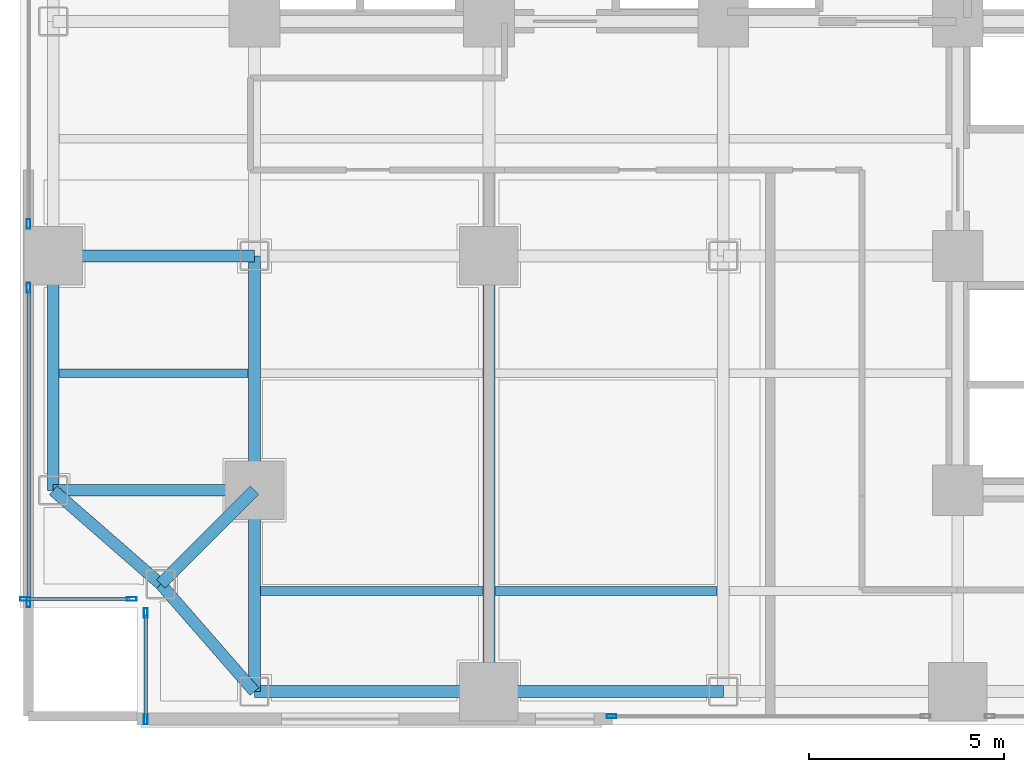
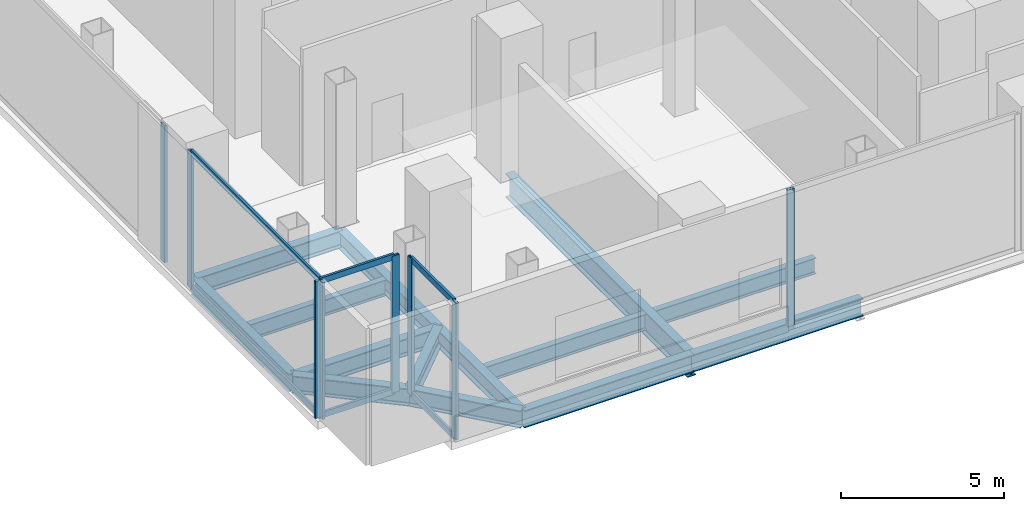
# One storey, part 3 of 27: 14 beams, 14 members, 5 elements without a shape of their own.
"""IFC4 building model written with IfcOpenShell, lengths in metres."""

import ifcopenshell
import ifcopenshell.guid

model = None  # the IFC model being written
_history = None  # IfcOwnerHistory: only IFC2X3 demands one
_inside = {}  # id of a spatial element -> (the spatial element, [elements in it])
_under = {}  # id of a project, library or spatial element -> (it, [spatial elements below it])
_declared = {}  # id of a project -> (the project, [libraries it declares])
_typed = {}  # id of a type object -> (the type object, [elements of that type])
_made_of = {}  # id of a material, layer set ... -> (it, [elements and type objects made of it])


def new_model(schema):
    """Start an empty IFC model of exactly this schema.

    Asked for "IFC4X3", IfcOpenShell would pick the latest addendum, in which some entities
    have other attributes; the version numbers below select the first issue.
    IFC2X3 requires an IfcOwnerHistory on every rooted entity: one is made here for all.
    """
    global model, _history
    if schema == "IFC4X3":
        model = ifcopenshell.file(schema_version=(4, 3, 0, 0))
    else:
        model = ifcopenshell.file(schema=schema)
    _inside.clear()
    _under.clear()
    _declared.clear()
    _typed.clear()
    _made_of.clear()
    _history = None
    if model.schema == "IFC2X3":
        org = make("IfcOrganization", Name="unknown")
        user = make(
            "IfcPersonAndOrganization",
            ThePerson=make("IfcPerson", FamilyName="unknown"),
            TheOrganization=org,
        )
        app = make(
            "IfcApplication",
            ApplicationDeveloper=org,
            Version="unknown",
            ApplicationFullName="unknown",
            ApplicationIdentifier="unknown",
        )
        _history = make(
            "IfcOwnerHistory",
            OwningUser=user,
            OwningApplication=app,
            ChangeAction="ADDED",
            CreationDate=0,
        )
    return model


def make(cls, **values):
    """One entity of the class cls with the attributes given. An attribute that is None is left unset."""
    return model.create_entity(
        cls, **{name: value for name, value in values.items() if value is not None}
    )


def rooted(cls, **values):
    """An entity with a GlobalId (a new one), such as an element, a storey or a relation."""
    return make(cls, GlobalId=ifcopenshell.guid.new(), OwnerHistory=_history, **values)


def si_unit(unit_type, name, prefix=None):
    """IfcSIUnit, for example si_unit("LENGTHUNIT", "METRE", prefix="MILLI")."""
    return make("IfcSIUnit", UnitType=unit_type, Prefix=prefix, Name=name)


def assignment(units):
    """IfcUnitAssignment: the units of a project."""
    return None if units is None else make("IfcUnitAssignment", Units=units)


def point(xyz):
    """IfcCartesianPoint."""
    return None if xyz is None else make("IfcCartesianPoint", Coordinates=xyz)


def direction(xyz):
    """IfcDirection."""
    return None if xyz is None else make("IfcDirection", DirectionRatios=xyz)


def frame(location, z_axis=None, x_axis=None):
    """IfcAxis2Placement3D, a coordinate frame: its origin and axes. An axis left out is left unset."""
    return make(
        "IfcAxis2Placement3D",
        Location=point(location),
        Axis=direction(z_axis),
        RefDirection=direction(x_axis),
    )


def frame_2d(location, x_axis=None):
    """IfcAxis2Placement2D, a coordinate frame in the plane: its origin and x axis."""
    return make(
        "IfcAxis2Placement2D", Location=point(location), RefDirection=direction(x_axis)
    )


def origin():
    """The frame at (0, 0, 0) with its axes left unset."""
    return frame((0.0, 0.0, 0.0))


def origin_2d():
    """The frame at (0, 0) in the plane with its x axis left unset."""
    return frame_2d((0.0, 0.0))


def place(relative_to, where):
    """IfcLocalPlacement: puts the frame where relative to a parent placement (None: the world)."""
    return make(
        "IfcLocalPlacement", PlacementRelTo=relative_to, RelativePlacement=where
    )


def context(
    kind, dimensions, precision=None, world=None, true_north=None, identifier=None
):
    """IfcGeometricRepresentationContext, for example the 3D "Model" context."""
    return make(
        "IfcGeometricRepresentationContext",
        ContextIdentifier=identifier,
        ContextType=kind,
        CoordinateSpaceDimension=dimensions,
        Precision=precision,
        WorldCoordinateSystem=world,
        TrueNorth=true_north,
    )


def subcontext(parent, identifier, kind, view, scale=None):
    """IfcGeometricRepresentationSubContext, for example "Body" below "Model"."""
    return make(
        "IfcGeometricRepresentationSubContext",
        ContextIdentifier=identifier,
        ContextType=kind,
        ParentContext=parent,
        TargetScale=scale,
        TargetView=view,
    )


def project(units=None, contexts=None):
    """IfcProject with its units and contexts."""
    return rooted(
        "IfcProject",
        Name="project",
        RepresentationContexts=contexts,
        UnitsInContext=assignment(units),
    )


def spatial(cls, under=None, at=None, **own):
    """A site, building, storey or space (cls), placed at a placement, below another one or the project."""
    s = rooted(cls, ObjectPlacement=at, **own)
    if under is not None:
        _under.setdefault(under.id(), (under, []))[1].append(s)
    return s


def profile(cls, at=None, kind="AREA", **sizes):
    """A parametric profile (cls). Its sizes go by their IFC names, for example OverallWidth=200.0."""
    return make(cls, ProfileType=kind, Position=at, **sizes)


def hollow_rectangle(**sizes):
    """IfcRectangleHollowProfileDef."""
    return profile("IfcRectangleHollowProfileDef", **sizes)


def i_section(**sizes):
    """IfcIShapeProfileDef."""
    return profile("IfcIShapeProfileDef", **sizes)


def extrude(swept, where, along, depth):
    """IfcExtrudedAreaSolid: the profile swept, set in the frame where, extruded along a direction by depth."""
    return make(
        "IfcExtrudedAreaSolid",
        SweptArea=swept,
        Position=where,
        ExtrudedDirection=direction(along),
        Depth=depth,
    )


def shape(context_of_items, identifier, shape_type, items):
    """IfcShapeRepresentation: the items that make up one representation, for example the "Body"."""
    return make(
        "IfcShapeRepresentation",
        ContextOfItems=context_of_items,
        RepresentationIdentifier=identifier,
        RepresentationType=shape_type,
        Items=items,
    )


def material(Name=None, Category=None):
    """IfcMaterial."""
    return make("IfcMaterial", Name=Name, Category=Category)


def layer(
    of_material, thickness, ventilated=None, Name=None, Category=None, Priority=None
):
    """IfcMaterialLayer: one layer of a wall or slab, of a material (None: an air gap)."""
    return make(
        "IfcMaterialLayer",
        Material=of_material,
        LayerThickness=thickness,
        IsVentilated=ventilated,
        Name=Name,
        Category=Category,
        Priority=Priority,
    )


def layer_set(layers, Name=None):
    """IfcMaterialLayerSet."""
    return make("IfcMaterialLayerSet", MaterialLayers=layers, LayerSetName=Name)


def material_profile(
    of_material, cross_section, Name=None, Category=None, Priority=None
):
    """IfcMaterialProfile: a cross section and its material."""
    return make(
        "IfcMaterialProfile",
        Name=Name,
        Material=of_material,
        Profile=cross_section,
        Priority=Priority,
        Category=Category,
    )


def profile_set(profiles, Name=None, composite=None):
    """IfcMaterialProfileSet."""
    return make(
        "IfcMaterialProfileSet",
        Name=Name,
        MaterialProfiles=profiles,
        CompositeProfile=composite,
    )


def made_of(thing, what):
    """Note that an element or type object is made of a material, layer set ...; save() writes the relation."""
    if what is not None:
        _made_of.setdefault(what.id(), (what, []))[1].append(thing)
    return thing


def type_object(cls, material=None, **own):
    """A type object (cls), such as IfcWallType, which elements share."""
    return made_of(rooted(cls, **own), material)


def element(
    cls,
    number,
    at=None,
    inside=None,
    cuts=None,
    type_object=None,
    material=None,
    context=None,
    identifier="Body",
    shape_type=None,
    held_by="IfcProductDefinitionShape",
    body=None,
    shapes=None,
    **own,
):
    """One element of the class cls, such as IfcWall. Its Tag is "e" and its number.

    at: its placement. inside: the storey or other place that contains it. cuts: it is an
    opening in that element (IfcRelVoidsElement). A single representation is given by context,
    identifier, shape_type and body (its items); several are given by shapes. held_by: the class
    of the entity that holds the representations. save() writes the other relations.
    """
    e = rooted(cls, Tag="e%d" % number, ObjectPlacement=at, **own)
    if body is not None:
        shapes = [shape(context, identifier, shape_type, body)]
    if shapes is not None:
        e.Representation = make(held_by, Representations=shapes)
    if inside is not None:
        _inside.setdefault(inside.id(), (inside, []))[1].append(e)
    if cuts is not None:
        rooted(
            "IfcRelVoidsElement", RelatingBuildingElement=cuts, RelatedOpeningElement=e
        )
    if type_object is not None:
        _typed.setdefault(type_object.id(), (type_object, []))[1].append(e)
    return made_of(e, material)


def aggregate(whole, parts):
    """IfcRelAggregates: a whole, such as a stair, and the parts it consists of."""
    return rooted("IfcRelAggregates", RelatingObject=whole, RelatedObjects=parts)


def save(model, path):
    """Write the relations noted so far, then the file.

    IfcRelAggregates (storeys below a building ...), IfcRelContainedInSpatialStructure (elements
    in a storey), IfcRelDefinesByType, IfcRelAssociatesMaterial and IfcRelDeclares: one each for
    every whole, place, type object, material and project.
    """
    for whole, parts in _under.values():
        aggregate(whole, parts)
    for where, things in _inside.values():
        rooted(
            "IfcRelContainedInSpatialStructure",
            RelatedElements=things,
            RelatingStructure=where,
        )
    for kind, things in _typed.values():
        rooted("IfcRelDefinesByType", RelatedObjects=things, RelatingType=kind)
    for what, things in _made_of.values():
        rooted("IfcRelAssociatesMaterial", RelatedObjects=things, RelatingMaterial=what)
    for by, libraries in _declared.values():
        rooted("IfcRelDeclares", RelatingContext=by, RelatedDefinitions=libraries)
    model.write(path)


model = new_model("IFC4")

# Units and contexts
model_context = context("Model", 3, precision=1e-05, world=origin(), true_north=direction((0.0, 1.0)))
body_context = subcontext(model_context, "Body", "Model", "MODEL_VIEW")
ifc_project = project(units=[si_unit("LENGTHUNIT", "METRE"), si_unit("AREAUNIT", "SQUARE_METRE"), si_unit("VOLUMEUNIT", "CUBIC_METRE"), si_unit("PLANEANGLEUNIT", "RADIAN"), si_unit("MASSUNIT", "GRAM", prefix="KILO"), si_unit("THERMODYNAMICTEMPERATUREUNIT", "KELVIN"), si_unit("POWERUNIT", "WATT")], contexts=[model_context])

# Site, building, storey
site_placement = place(None, origin())
site = spatial("IfcSite", under=ifc_project, at=site_placement, CompositionType="ELEMENT")
building_placement = place(site_placement, origin())
building = spatial("IfcBuilding", under=site, at=building_placement, Name="Svarakhadi Broadcast Tower", CompositionType="ELEMENT")
storey_placement = place(building_placement, frame((0.0, 0.0, 5.699951171875)))
storey = spatial("IfcBuildingStorey", under=building, at=storey_placement, Name="L01", CompositionType="ELEMENT", Elevation=5.699951171875)

# Beams
ifc_material_1 = material(Name="Steel S355J2 (IS 2062 E350C)", Category="steel")
ifc_material_profile_1 = material_profile(ifc_material_1, i_section(OverallWidth=0.219970703125, OverallDepth=0.60009765625, WebThickness=0.011962890625, FlangeThickness=0.01904296875, FilletRadius=0.02392578125, at=origin_2d()), Name="NPB 600x220x122")
ifc_profile_set_1 = profile_set([ifc_material_profile_1], Name="Steel S355J2 (IS 2062 E350C)")
beam_type_1 = type_object("IfcBeamType", Name="Beam_NPB600", PredefinedType="BEAM", material=ifc_profile_set_1)
beam_1_placement = place(storey_placement, frame((1.010009765625, 9.0, -0.599853515625), z_axis=(1.0, 0.0, 0.0), x_axis=(0.0, 1.0, 0.0)))
element("IfcBeam", 1, at=beam_1_placement, inside=storey, type_object=beam_type_1, Name="L01 Secondary Composite Beam SB001", PredefinedType="BEAM", context=body_context, shape_type="SweptSolid", body=[
    extrude(i_section(OverallWidth=0.219970703125, OverallDepth=0.60009765625, WebThickness=0.011962890625, FlangeThickness=0.01904296875, FilletRadius=0.02392578125, at=origin_2d()), origin(), (0.0, 0.0, 1.0), 4.830078125),
])
for number, where, z_axis, x_axis, name in (
    (2, (6.159912109375, 3.425048828125, -0.599853515625), (1.0, 0.0, 0.0), (0.0, 1.0, 0.0), "L01 Secondary Composite Beam SB007"),
    (3, (12.159912109375, 3.425048828125, -0.599853515625), (1.0, 0.0, 0.0), (0.0, 1.0, 0.0), "L01 Secondary Composite Beam SB010"),
):
    element("IfcBeam", number, at=place(storey_placement, frame(where, z_axis=z_axis, x_axis=x_axis)), inside=storey, type_object=beam_type_1, Name=name, PredefinedType="BEAM", context=body_context, shape_type="SweptSolid", body=[
        extrude(i_section(OverallWidth=0.219970703125, OverallDepth=0.60009765625, WebThickness=0.011962890625, FlangeThickness=0.01904296875, FilletRadius=0.02392578125, at=origin_2d()), origin(), (0.0, 0.0, 1.0), 5.68017578125),
    ])

# Curtain wall, members
ifc_material_2 = material(Name="Anodised Bronze Aluminium AA 6063-T6", Category="aluminium")
ifc_layer = layer(ifc_material_2, 0.25)
ifc_layer_set = layer_set([ifc_layer], Name="Anodised Bronze Aluminium AA 6063-T6")
curtain_wall_type = type_object("IfcCurtainWallType", Name="CW_Sys_01", PredefinedType="NOTDEFINED", material=ifc_layer_set)
curtain_wall_1_placement = place(storey_placement, origin())
curtain_wall_1 = element("IfcCurtainWall", 4, at=curtain_wall_1_placement, inside=storey, type_object=curtain_wall_type, Name="L01 Unitised Facade Curtain Wall 01", PredefinedType="NOTDEFINED")
ifc_material_profile_2 = material_profile(ifc_material_2, hollow_rectangle(XDim=0.094970703125, YDim=0.25, WallThickness=0.006103515625, at=origin_2d()), Name="ALU MULLION 250x95x6")
ifc_profile_set_2 = profile_set([ifc_material_profile_2], Name="Anodised Bronze Aluminium AA 6063-T6")
member_type_1 = type_object("IfcMemberType", Name="CW_Sys_01_Mul", PredefinedType="MULLION", material=ifc_profile_set_2)
member_1_placement = place(storey_placement, frame((2.862548828125, 3.219970703125, 0.0), z_axis=(0.0, 0.0, 1.0), x_axis=(0.0, -1.0, 0.0)))
member_1 = element("IfcMember", 5, at=member_1_placement, type_object=member_type_1, Name="CW-01 mullion 1", PredefinedType="MULLION", context=body_context, shape_type="SweptSolid", body=[
    extrude(hollow_rectangle(XDim=0.094970703125, YDim=0.25, WallThickness=0.006103515625, at=origin_2d()), origin(), (0.0, 0.0, 1.0), 5.125),
])
member_2_placement = place(storey_placement, frame((0.137451171875, 3.219970703125, 0.0), z_axis=(0.0, 0.0, 1.0), x_axis=(0.0, -1.0, 0.0)))
member_2 = element("IfcMember", 6, at=member_2_placement, type_object=member_type_1, Name="CW-01 mullion 2", PredefinedType="MULLION", context=body_context, shape_type="SweptSolid", body=[
    extrude(hollow_rectangle(XDim=0.094970703125, YDim=0.25, WallThickness=0.006103515625, at=origin_2d()), origin(), (0.0, 0.0, 1.0), 5.125),
])

curtain_wall_2_placement = place(storey_placement, origin())
curtain_wall_2 = element("IfcCurtainWall", 7, at=curtain_wall_2_placement, inside=storey, type_object=curtain_wall_type, Name="L01 Unitised Facade Curtain Wall 02 Bay 1", PredefinedType="NOTDEFINED")
member_3_placement = place(storey_placement, frame((0.219970703125, 3.137451171875, 0.0), z_axis=(0.0, 0.0, 1.0), x_axis=(-1.0, 0.0, 0.0)))
member_3 = element("IfcMember", 8, at=member_3_placement, type_object=member_type_1, Name="CW-01 mullion 1", PredefinedType="MULLION", context=body_context, shape_type="SweptSolid", body=[
    extrude(hollow_rectangle(XDim=0.094970703125, YDim=0.25, WallThickness=0.006103515625, at=origin_2d()), origin(), (0.0, 0.0, 1.0), 5.125),
])
member_4_placement = place(storey_placement, frame((0.219970703125, 11.1826171875, 0.0), z_axis=(0.0, 0.0, 1.0), x_axis=(-1.0, 0.0, 0.0)))
member_4 = element("IfcMember", 9, at=member_4_placement, type_object=member_type_1, Name="CW-01 mullion 2", PredefinedType="MULLION", context=body_context, shape_type="SweptSolid", body=[
    extrude(hollow_rectangle(XDim=0.094970703125, YDim=0.25, WallThickness=0.006103515625, at=origin_2d()), origin(), (0.0, 0.0, 1.0), 5.125),
])

# Curtain wall, member
curtain_wall_3_placement = place(storey_placement, origin())
curtain_wall_3 = element("IfcCurtainWall", 10, at=curtain_wall_3_placement, inside=storey, type_object=curtain_wall_type, Name="L01 Unitised Facade Curtain Wall 02 Bay 2", PredefinedType="NOTDEFINED")
member_5_placement = place(storey_placement, frame((0.219970703125, 12.8173828125, 0.0), z_axis=(0.0, 0.0, 1.0), x_axis=(-1.0, 0.0, 0.0)))
member_5 = element("IfcMember", 11, at=member_5_placement, type_object=member_type_1, Name="CW-01 mullion 1", PredefinedType="MULLION", context=body_context, shape_type="SweptSolid", body=[
    extrude(hollow_rectangle(XDim=0.094970703125, YDim=0.25, WallThickness=0.006103515625, at=origin_2d()), origin(), (0.0, 0.0, 1.0), 5.125),
])
aggregate(curtain_wall_3, [member_5])

curtain_wall_4_placement = place(storey_placement, origin())
curtain_wall_4 = element("IfcCurtainWall", 12, at=curtain_wall_4_placement, inside=storey, type_object=curtain_wall_type, Name="L01 South Curtain Wall 11 Bay 5", PredefinedType="NOTDEFINED")
member_6_placement = place(storey_placement, frame((15.137451171875, 0.219970703125, 0.0), z_axis=(0.0, 0.0, 1.0), x_axis=(0.0, -1.0, 0.0)))
member_6 = element("IfcMember", 13, at=member_6_placement, type_object=member_type_1, Name="CW-01 mullion 2", PredefinedType="MULLION", context=body_context, shape_type="SweptSolid", body=[
    extrude(hollow_rectangle(XDim=0.094970703125, YDim=0.25, WallThickness=0.006103515625, at=origin_2d()), origin(), (0.0, 0.0, 1.0), 5.125),
])
aggregate(curtain_wall_4, [member_6])

# Curtain wall, members
curtain_wall_5_placement = place(storey_placement, origin())
curtain_wall_5 = element("IfcCurtainWall", 14, at=curtain_wall_5_placement, inside=storey, type_object=curtain_wall_type, Name="L01 Unitised Facade Curtain Wall 12", PredefinedType="NOTDEFINED")
member_7_placement = place(storey_placement, frame((3.219970703125, 0.137451171875, 0.0), z_axis=(0.0, 0.0, 1.0), x_axis=(-1.0, 0.0, 0.0)))
member_7 = element("IfcMember", 15, at=member_7_placement, type_object=member_type_1, Name="CW-01 mullion 1", PredefinedType="MULLION", context=body_context, shape_type="SweptSolid", body=[
    extrude(hollow_rectangle(XDim=0.094970703125, YDim=0.25, WallThickness=0.006103515625, at=origin_2d()), origin(), (0.0, 0.0, 1.0), 5.125),
])
member_8_placement = place(storey_placement, frame((3.219970703125, 2.862548828125, 0.0), z_axis=(0.0, 0.0, 1.0), x_axis=(-1.0, 0.0, 0.0)))
member_8 = element("IfcMember", 16, at=member_8_placement, type_object=member_type_1, Name="CW-01 mullion 2", PredefinedType="MULLION", context=body_context, shape_type="SweptSolid", body=[
    extrude(hollow_rectangle(XDim=0.094970703125, YDim=0.25, WallThickness=0.006103515625, at=origin_2d()), origin(), (0.0, 0.0, 1.0), 5.125),
])

# Member
ifc_material_profile_3 = material_profile(ifc_material_2, hollow_rectangle(XDim=0.0849609375, YDim=0.219970703125, WallThickness=0.0048828125, at=origin_2d()), Name="ALU TRANSOM 220x85x5")
ifc_profile_set_3 = profile_set([ifc_material_profile_3], Name="Anodised Bronze Aluminium AA 6063-T6")
member_type_2 = type_object("IfcMemberType", Name="CW_Sys_01_Trn", PredefinedType="USERDEFINED", material=ifc_profile_set_3)
member_9_placement = place(storey_placement, frame((2.81494140625, 3.219970703125, 0.04248046875), z_axis=(-1.0, 0.0, 0.0), x_axis=(0.0, -1.0, 0.0)))
member_9 = element("IfcMember", 17, at=member_9_placement, type_object=member_type_2, Name="CW-01 transom 1.1", ObjectType="TRANSOM", PredefinedType="USERDEFINED", context=body_context, shape_type="SweptSolid", body=[
    extrude(hollow_rectangle(XDim=0.0849609375, YDim=0.219970703125, WallThickness=0.0048828125, at=origin_2d()), origin(), (0.0, 0.0, 1.0), 2.6298828125),
])

member_10_placement = place(storey_placement, frame((2.81494140625, 3.219970703125, 5.08251953125), z_axis=(-1.0, 0.0, 0.0), x_axis=(0.0, -1.0, 0.0)))
member_10 = element("IfcMember", 18, at=member_10_placement, type_object=member_type_2, Name="CW-01 transom 1.2", ObjectType="TRANSOM", PredefinedType="USERDEFINED", context=body_context, shape_type="SweptSolid", body=[
    extrude(hollow_rectangle(XDim=0.0849609375, YDim=0.219970703125, WallThickness=0.0048828125, at=origin_2d()), origin(), (0.0, 0.0, 1.0), 2.6298828125),
])

aggregate(curtain_wall_1, [member_1, member_2, member_9, member_10])

member_11_placement = place(storey_placement, frame((0.219970703125, 3.18505859375, 0.04248046875), z_axis=(0.0, 1.0, 0.0), x_axis=(-1.0, 0.0, 0.0)))
member_11 = element("IfcMember", 19, at=member_11_placement, type_object=member_type_2, Name="CW-01 transom 1.1", ObjectType="TRANSOM", PredefinedType="USERDEFINED", context=body_context, shape_type="SweptSolid", body=[
    extrude(hollow_rectangle(XDim=0.0849609375, YDim=0.219970703125, WallThickness=0.0048828125, at=origin_2d()), origin(), (0.0, 0.0, 1.0), 7.949951171875),
])

member_12_placement = place(storey_placement, frame((0.219970703125, 3.18505859375, 5.08251953125), z_axis=(0.0, 1.0, 0.0), x_axis=(-1.0, 0.0, 0.0)))
member_12 = element("IfcMember", 20, at=member_12_placement, type_object=member_type_2, Name="CW-01 transom 1.2", ObjectType="TRANSOM", PredefinedType="USERDEFINED", context=body_context, shape_type="SweptSolid", body=[
    extrude(hollow_rectangle(XDim=0.0849609375, YDim=0.219970703125, WallThickness=0.0048828125, at=origin_2d()), origin(), (0.0, 0.0, 1.0), 7.949951171875),
])

aggregate(curtain_wall_2, [member_3, member_4, member_11, member_12])

member_13_placement = place(storey_placement, frame((3.219970703125, 0.18505859375, 0.04248046875), z_axis=(0.0, 1.0, 0.0), x_axis=(-1.0, 0.0, 0.0)))
member_13 = element("IfcMember", 21, at=member_13_placement, type_object=member_type_2, Name="CW-01 transom 1.1", ObjectType="TRANSOM", PredefinedType="USERDEFINED", context=body_context, shape_type="SweptSolid", body=[
    extrude(hollow_rectangle(XDim=0.0849609375, YDim=0.219970703125, WallThickness=0.0048828125, at=origin_2d()), origin(), (0.0, 0.0, 1.0), 2.6298828125),
])

member_14_placement = place(storey_placement, frame((3.219970703125, 0.18505859375, 5.08251953125), z_axis=(0.0, 1.0, 0.0), x_axis=(-1.0, 0.0, 0.0)))
member_14 = element("IfcMember", 22, at=member_14_placement, type_object=member_type_2, Name="CW-01 transom 1.2", ObjectType="TRANSOM", PredefinedType="USERDEFINED", context=body_context, shape_type="SweptSolid", body=[
    extrude(hollow_rectangle(XDim=0.0849609375, YDim=0.219970703125, WallThickness=0.0048828125, at=origin_2d()), origin(), (0.0, 0.0, 1.0), 2.6298828125),
])

aggregate(curtain_wall_5, [member_7, member_8, member_13, member_14])

# Beams
ifc_material_profile_4 = material_profile(ifc_material_1, i_section(OverallWidth=0.300048828125, OverallDepth=0.64990234375, WebThickness=0.01611328125, FlangeThickness=0.031005859375, FilletRadius=0.027099609375, at=origin_2d()), Name="WPB 650x300x225")
ifc_profile_set_4 = profile_set([ifc_material_profile_4], Name="Steel S355J2 (IS 2062 E350C)")
beam_type_2 = type_object("IfcBeamType", Name="Girder_WPB650", PredefinedType="USERDEFINED", material=ifc_profile_set_4)
beam_2_placement = place(storey_placement, frame((3.60009765625, 3.60009765625, -0.625), z_axis=(0.707106781187, 0.707106781187, 0.0), x_axis=(-0.707106781187, 0.707106781187, 0.0)))
element("IfcBeam", 23, at=beam_2_placement, inside=storey, type_object=beam_type_2, Name="L01 Corner Tie Girder G001", ObjectType="GIRDER", PredefinedType="USERDEFINED", context=body_context, shape_type="SweptSolid", body=[
    extrude(i_section(OverallWidth=0.300048828125, OverallDepth=0.64990234375, WebThickness=0.01611328125, FlangeThickness=0.031005859375, FilletRadius=0.027099609375, at=origin_2d()), origin(), (0.0, 0.0, 1.0), 3.39404296875),
])
for number, where, z_axis, x_axis, name in (
    (24, (3.60009765625, 3.60009765625, -0.625), (-0.753437912176, 0.657519058655, 0.0), (-0.657519058655, -0.753437912176, 0.0), "L01 Corner Tie Girder G002"),
    (25, (3.60009765625, 3.60009765625, -0.625), (0.657519058655, -0.753437912176, 0.0), (0.753437912176, 0.657519058655, 0.0), "L01 Corner Tie Girder G003"),
):
    element("IfcBeam", number, at=place(storey_placement, frame(where, z_axis=z_axis, x_axis=x_axis)), inside=storey, type_object=beam_type_2, Name=name, ObjectType="GIRDER", PredefinedType="USERDEFINED", context=body_context, shape_type="SweptSolid", body=[
        extrude(i_section(OverallWidth=0.300048828125, OverallDepth=0.64990234375, WebThickness=0.01611328125, FlangeThickness=0.031005859375, FilletRadius=0.027099609375, at=origin_2d()), origin(), (0.0, 0.0, 1.0), 3.64990234375),
    ])
for number, where, z_axis, x_axis, name in (
    (26, (6.0, 0.85009765625, -0.625), (1.0, 0.0, 0.0), (0.0, 1.0, 0.0), "L01 Primary E-W Girder G004"),
    (27, (12.0, 0.85009765625, -0.625), (1.0, 0.0, 0.0), (0.0, 1.0, 0.0), "L01 Primary E-W Girder G005"),
):
    element("IfcBeam", number, at=place(storey_placement, frame(where, z_axis=z_axis, x_axis=x_axis)), inside=storey, type_object=beam_type_2, Name=name, ObjectType="GIRDER", PredefinedType="USERDEFINED", context=body_context, shape_type="SweptSolid", body=[
        extrude(i_section(OverallWidth=0.300048828125, OverallDepth=0.64990234375, WebThickness=0.01611328125, FlangeThickness=0.031005859375, FilletRadius=0.027099609375, at=origin_2d()), origin(), (0.0, 0.0, 1.0), 6.0),
    ])
for number, where, z_axis, x_axis, name in (
    (28, (0.85009765625, 6.0, -0.625), (1.0, 0.0, 0.0), (0.0, 1.0, 0.0), "L01 Primary E-W Girder G012"),
    (29, (0.85009765625, 12.0, -0.625), (1.0, 0.0, 0.0), (0.0, 1.0, 0.0), "L01 Primary E-W Girder G014"),
):
    element("IfcBeam", number, at=place(storey_placement, frame(where, z_axis=z_axis, x_axis=x_axis)), inside=storey, type_object=beam_type_2, Name=name, ObjectType="GIRDER", PredefinedType="USERDEFINED", context=body_context, shape_type="SweptSolid", body=[
        extrude(i_section(OverallWidth=0.300048828125, OverallDepth=0.64990234375, WebThickness=0.01611328125, FlangeThickness=0.031005859375, FilletRadius=0.027099609375, at=origin_2d()), origin(), (0.0, 0.0, 1.0), 5.14990234375),
    ])
beam_3_placement = place(storey_placement, frame((0.85009765625, 6.0, -0.625), z_axis=(0.0, 1.0, 0.0), x_axis=(-1.0, 0.0, 0.0)))
element("IfcBeam", 30, at=beam_3_placement, inside=storey, type_object=beam_type_2, Name="L01 Primary N-S Girder G044", ObjectType="GIRDER", PredefinedType="USERDEFINED", context=body_context, shape_type="SweptSolid", body=[
    extrude(i_section(OverallWidth=0.300048828125, OverallDepth=0.64990234375, WebThickness=0.01611328125, FlangeThickness=0.031005859375, FilletRadius=0.027099609375, at=origin_2d()), origin(), (0.0, 0.0, 1.0), 6.0),
])
beam_4_placement = place(storey_placement, frame((6.0, 0.85009765625, -0.625), z_axis=(0.0, 1.0, 0.0), x_axis=(-1.0, 0.0, 0.0)))
element("IfcBeam", 31, at=beam_4_placement, inside=storey, type_object=beam_type_2, Name="L01 Primary N-S Girder G050", ObjectType="GIRDER", PredefinedType="USERDEFINED", context=body_context, shape_type="SweptSolid", body=[
    extrude(i_section(OverallWidth=0.300048828125, OverallDepth=0.64990234375, WebThickness=0.01611328125, FlangeThickness=0.031005859375, FilletRadius=0.027099609375, at=origin_2d()), origin(), (0.0, 0.0, 1.0), 5.14990234375),
])
beam_5_placement = place(storey_placement, frame((6.0, 6.0, -0.625), z_axis=(0.0, 1.0, 0.0), x_axis=(-1.0, 0.0, 0.0)))
element("IfcBeam", 32, at=beam_5_placement, inside=storey, type_object=beam_type_2, Name="L01 Primary N-S Girder G051", ObjectType="GIRDER", PredefinedType="USERDEFINED", context=body_context, shape_type="SweptSolid", body=[
    extrude(i_section(OverallWidth=0.300048828125, OverallDepth=0.64990234375, WebThickness=0.01611328125, FlangeThickness=0.031005859375, FilletRadius=0.027099609375, at=origin_2d()), origin(), (0.0, 0.0, 1.0), 6.0),
])
ifc_material_3 = material(Name="Steel S460ML (IS 2062 E450BR)", Category="steel")
ifc_material_profile_5 = material_profile(ifc_material_3, i_section(OverallWidth=0.300048828125, OverallDepth=0.89990234375, WebThickness=0.0185546875, FlangeThickness=0.034912109375, FilletRadius=0.030029296875, at=origin_2d()), Name="WPB 900x300x291")
ifc_profile_set_5 = profile_set([ifc_material_profile_5], Name="Steel S460ML (IS 2062 E450BR)")
beam_type_3 = type_object("IfcBeamType", Name="Girder_WPB900", PredefinedType="USERDEFINED", material=ifc_profile_set_5)
beam_6_placement = place(storey_placement, frame((12.0, 0.85009765625, -0.75), z_axis=(0.0, 1.0, 0.0), x_axis=(-1.0, 0.0, 0.0)))
element("IfcBeam", 33, at=beam_6_placement, inside=storey, type_object=beam_type_3, Name="L01 Primary N-S Girder G057", ObjectType="GIRDER", PredefinedType="USERDEFINED", context=body_context, shape_type="SweptSolid", body=[
    extrude(i_section(OverallWidth=0.300048828125, OverallDepth=0.89990234375, WebThickness=0.0185546875, FlangeThickness=0.034912109375, FilletRadius=0.030029296875, at=origin_2d()), origin(), (0.0, 0.0, 1.0), 11.14990234375),
])

save(model, "model.ifc")
